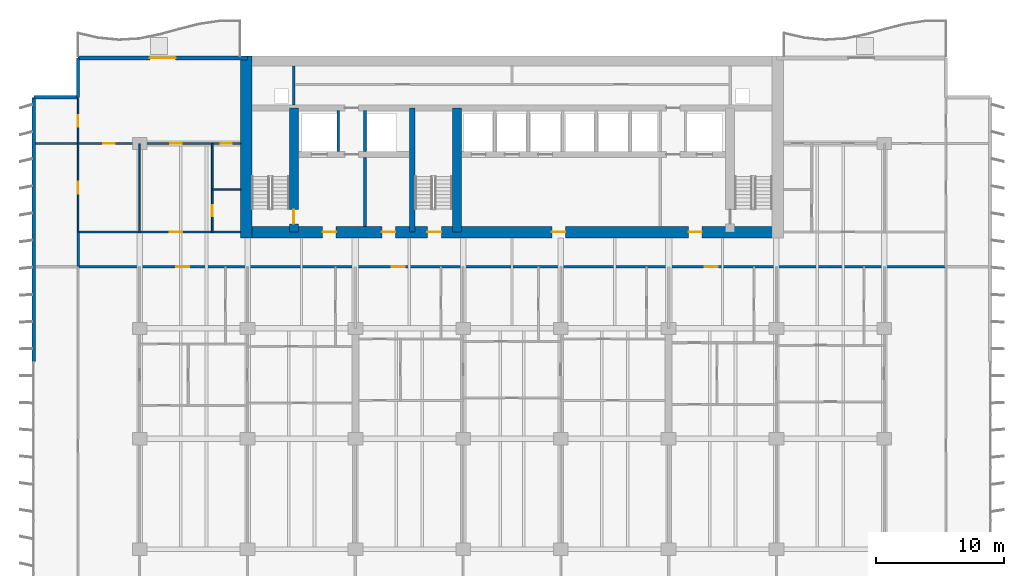
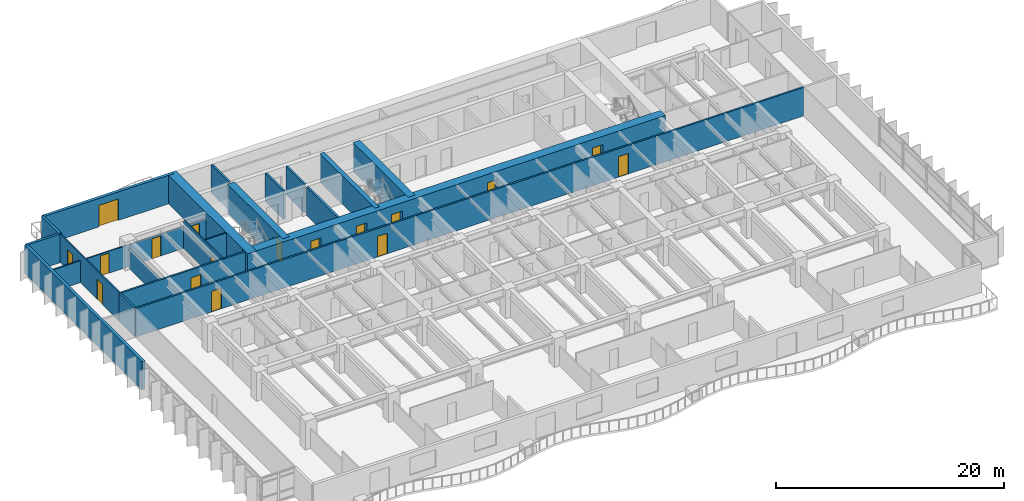
# One storey, part 9 of 16: 21 walls, 17 doors, 17 openings.
"""IFC4 building model written with IfcOpenShell, lengths in metres."""

from ifc_helpers import new_model, si_unit, direction, frame, frame_2d, origin, place, context, subcontext, project, spatial, rectangle, extrude, material, layer, layer_set, type_object, element, fill, save


model = new_model("IFC4")

# Units and contexts
model_context = context("Model", 3, precision=1e-05, world=origin(), true_north=direction((0.0, 1.0)))
body_context = subcontext(model_context, "Body", "Model", "MODEL_VIEW")
ifc_project = project(units=[si_unit("LENGTHUNIT", "METRE"), si_unit("AREAUNIT", "SQUARE_METRE"), si_unit("VOLUMEUNIT", "CUBIC_METRE"), si_unit("PLANEANGLEUNIT", "RADIAN"), si_unit("MASSUNIT", "GRAM", prefix="KILO")], contexts=[model_context])

# Site, building, storey
site_placement = place(None, origin())
site = spatial("IfcSite", under=ifc_project, at=site_placement, CompositionType="ELEMENT")
building_placement = place(site_placement, origin())
building = spatial("IfcBuilding", under=site, at=building_placement, Name="Caelmar Bay Residences", CompositionType="ELEMENT")
storey_placement = place(building_placement, frame((0.0, 0.0, 72.89990234375)))
storey = spatial("IfcBuildingStorey", under=building, at=storey_placement, Name="L19", CompositionType="ELEMENT", Elevation=72.89990234375)

# Wall, opening, door
ifc_material_1 = material(Name="Concrete f'c 55 MPa (8,000 psi)", Category="concrete")
ifc_layer_1 = layer(ifc_material_1, 0.699951171875)
ifc_layer_set_1 = layer_set([ifc_layer_1], Name="Concrete f'c 55 MPa (8,000 psi)")
wall_type_1 = type_object("IfcWallType", Name="SW-COR-700", PredefinedType="SHEAR", material=ifc_layer_set_1)
wall_1_placement = place(storey_placement, frame((21.89990234375, 36.89990234375, 0.0), z_axis=(0.0, 0.0, 1.0), x_axis=(0.0, 1.0, 0.0)))
wall_1 = element("IfcWall", 1, at=wall_1_placement, inside=storey, type_object=wall_type_1, Name="L19 Core Structural Web Wall ST1E", PredefinedType="SHEAR", context=body_context, shape_type="SweptSolid", body=[
    extrude(rectangle(XDim=9.675048828125, YDim=0.699951171875, at=frame_2d((4.83740234375, 0.0))), origin(), (0.0, 0.0, 1.0), 3.050048828125),
])
opening_1_placement = place(wall_1_placement, frame((0.64990234375, 0.0, 0.0)))
opening_1 = element("IfcOpeningElement", 2, at=opening_1_placement, cuts=wall_1, Name="Opening D-L19-108", PredefinedType="OPENING", context=body_context, shape_type="SweptSolid", body=[
    extrude(rectangle(XDim=1.10009765625, YDim=2.14990234375, at=frame_2d((0.550048828125, 1.074951171875))), frame((0.0, 0.35986328125, 0.0), z_axis=(0.0, -1.0, 0.0), x_axis=(1.0, 0.0, 0.0)), (0.0, 0.0, 1.0), 0.719970703125),
])
ifc_material_2 = material(Name="Fire-rated steel and walnut architectural door assembly", Category="steel")
ifc_layer_2 = layer(ifc_material_2, 0.050048828125)
ifc_layer_set_2 = layer_set([ifc_layer_2], Name="Fire-rated steel and walnut architectural door assembly")
door_type_1 = type_object("IfcDoorType", Name="D-STAIR-1100", OperationType="NOTDEFINED", PredefinedType="DOOR", material=ifc_layer_set_2)
door_1_placement = place(opening_1_placement, origin())
door_1 = element("IfcDoor", 3, at=door_1_placement, inside=storey, type_object=door_type_1, Name="L19 Firefighting Lobby West Door", OperationType="SINGLE_SWING_LEFT", OverallHeight=2.14990234375, OverallWidth=1.10009765625, PredefinedType="DOOR", context=body_context, shape_type="SweptSolid", body=[
    extrude(rectangle(XDim=1.10009765625, YDim=2.14990234375, at=frame_2d((0.550048828125, 1.074951171875))), frame((0.0, 0.02490234375, 0.0), z_axis=(0.0, -1.0, 0.0), x_axis=(1.0, 0.0, 0.0)), (0.0, 0.0, 1.0), 0.050048828125),
])
fill(opening_1, door_1)

# Wall
wall_2_placement = place(storey_placement, frame((34.60009765625, 36.89990234375, 0.0), z_axis=(0.0, 0.0, 1.0), x_axis=(0.0, 1.0, 0.0)))
element("IfcWall", 4, at=wall_2_placement, inside=storey, type_object=wall_type_1, Name="L19 Core Structural Web Wall ST3E", PredefinedType="SHEAR", context=body_context, shape_type="SweptSolid", body=[
    extrude(rectangle(XDim=9.675048828125, YDim=0.699951171875, at=frame_2d((4.83740234375, 0.0))), origin(), (0.0, 0.0, 1.0), 3.050048828125),
])

# Wall, openings, doors
ifc_material_3 = material(Name="Concrete f'c 70 MPa (10,000 psi)", Category="concrete")
ifc_layer_3 = layer(ifc_material_3, 0.89990234375)
ifc_layer_set_3 = layer_set([ifc_layer_3], Name="Concrete f'c 70 MPa (10,000 psi)")
wall_type_2 = type_object("IfcWallType", Name="SW-COR-900", PredefinedType="SHEAR", material=ifc_layer_set_3)
wall_3_placement = place(storey_placement, frame((17.75, 36.89990234375, 0.0), z_axis=(0.0, 0.0, 1.0), x_axis=(1.0, 0.0, 0.0)))
wall_3 = element("IfcWall", 5, at=wall_3_placement, inside=storey, type_object=wall_type_2, Name="L19 Rear Core South Shear Wall", PredefinedType="SHEAR", context=body_context, shape_type="SweptSolid", body=[
    extrude(rectangle(XDim=42.300048828125, YDim=0.89990234375, at=frame_2d((21.14990234375, 0.0))), origin(), (0.0, 0.0, 1.0), 3.050048828125),
])
opening_2_placement = place(wall_3_placement, frame((14.550048828125, 0.0, 0.0)))
opening_2 = element("IfcOpeningElement", 6, at=opening_2_placement, cuts=wall_3, Name="Opening D-L19-106", PredefinedType="OPENING", context=body_context, shape_type="SweptSolid", body=[
    extrude(rectangle(XDim=1.10009765625, YDim=2.14990234375, at=frame_2d((0.550048828125, 1.074951171875))), frame((0.0, 0.4599609375, 0.0), z_axis=(0.0, -1.0, 0.0), x_axis=(1.0, 0.0, 0.0)), (0.0, 0.0, 1.0), 0.919921875),
])
opening_3_placement = place(wall_3_placement, frame((6.39990234375, 0.0, 0.0)))
opening_3 = element("IfcOpeningElement", 7, at=opening_3_placement, cuts=wall_3, Name="Opening D-L19-107", PredefinedType="OPENING", context=body_context, shape_type="SweptSolid", body=[
    extrude(rectangle(XDim=1.050048828125, YDim=2.14990234375, at=frame_2d((0.52490234375, 1.074951171875))), frame((0.0, 0.4599609375, 0.0), z_axis=(0.0, -1.0, 0.0), x_axis=(1.0, 0.0, 0.0)), (0.0, 0.0, 1.0), 0.919921875),
])
opening_4_placement = place(wall_3_placement, frame((34.89990234375, 0.0, 0.0)))
opening_4 = element("IfcOpeningElement", 8, at=opening_4_placement, cuts=wall_3, Name="Opening D-L19-110", PredefinedType="OPENING", context=body_context, shape_type="SweptSolid", body=[
    extrude(rectangle(XDim=1.050048828125, YDim=2.14990234375, at=frame_2d((0.52490234375, 1.074951171875))), frame((0.0, 0.4599609375, 0.0), z_axis=(0.0, -1.0, 0.0), x_axis=(1.0, 0.0, 0.0)), (0.0, 0.0, 1.0), 0.919921875),
])
opening_5_placement = place(wall_3_placement, frame((11.012451171875, 0.0, 0.0)))
opening_5 = element("IfcOpeningElement", 9, at=opening_5_placement, cuts=wall_3, Name="Opening D-L19-113", PredefinedType="OPENING", context=body_context, shape_type="SweptSolid", body=[
    extrude(rectangle(XDim=1.050048828125, YDim=2.14990234375, at=frame_2d((0.52490234375, 1.074951171875))), frame((0.0, 0.4599609375, 0.0), z_axis=(0.0, -1.0, 0.0), x_axis=(1.0, 0.0, 0.0)), (0.0, 0.0, 1.0), 0.919921875),
])
opening_6_placement = place(wall_3_placement, frame((24.25, 0.0, 0.0)))
opening_6 = element("IfcOpeningElement", 10, at=opening_6_placement, cuts=wall_3, Name="Opening D-L19-114", PredefinedType="OPENING", context=body_context, shape_type="SweptSolid", body=[
    extrude(rectangle(XDim=1.050048828125, YDim=2.14990234375, at=frame_2d((0.52490234375, 1.074951171875))), frame((0.0, 0.4599609375, 0.0), z_axis=(0.0, -1.0, 0.0), x_axis=(1.0, 0.0, 0.0)), (0.0, 0.0, 1.0), 0.919921875),
])
ifc_layer_4 = layer(ifc_material_2, 0.050048828125)
ifc_layer_set_4 = layer_set([ifc_layer_4], Name="Fire-rated steel and walnut architectural door assembly")
door_type_2 = type_object("IfcDoorType", Name="D-FSAE-1050", OperationType="NOTDEFINED", PredefinedType="DOOR", material=ifc_layer_set_4)
door_2_placement = place(opening_3_placement, origin())
door_2 = element("IfcDoor", 11, at=door_2_placement, inside=storey, type_object=door_type_2, Name="L19 Firefighting Lobby West Door", OperationType="SINGLE_SWING_RIGHT", OverallHeight=2.14990234375, OverallWidth=1.050048828125, PredefinedType="DOOR", context=body_context, shape_type="SweptSolid", body=[
    extrude(rectangle(XDim=1.050048828125, YDim=2.14990234375, at=frame_2d((0.52490234375, 1.074951171875))), frame((0.0, 0.02490234375, 0.0), z_axis=(0.0, -1.0, 0.0), x_axis=(1.0, 0.0, 0.0)), (0.0, 0.0, 1.0), 0.050048828125),
])
fill(opening_3, door_2)
door_3_placement = place(opening_4_placement, origin())
door_3 = element("IfcDoor", 12, at=door_3_placement, inside=storey, type_object=door_type_2, Name="L19 Firefighting Lobby East Door", OperationType="SINGLE_SWING_LEFT", OverallHeight=2.14990234375, OverallWidth=1.050048828125, PredefinedType="DOOR", context=body_context, shape_type="SweptSolid", body=[
    extrude(rectangle(XDim=1.050048828125, YDim=2.14990234375, at=frame_2d((0.52490234375, 1.074951171875))), frame((0.0, 0.02490234375, 0.0), z_axis=(0.0, -1.0, 0.0), x_axis=(1.0, 0.0, 0.0)), (0.0, 0.0, 1.0), 0.050048828125),
])
fill(opening_4, door_3)
door_4_placement = place(opening_5_placement, origin())
door_4 = element("IfcDoor", 13, at=door_4_placement, inside=storey, type_object=door_type_2, Name="L19 West Lift Lobby Door", OperationType="SINGLE_SWING_RIGHT", OverallHeight=2.14990234375, OverallWidth=1.050048828125, PredefinedType="DOOR", context=body_context, shape_type="SweptSolid", body=[
    extrude(rectangle(XDim=1.050048828125, YDim=2.14990234375, at=frame_2d((0.52490234375, 1.074951171875))), frame((0.0, 0.02490234375, 0.0), z_axis=(0.0, -1.0, 0.0), x_axis=(1.0, 0.0, 0.0)), (0.0, 0.0, 1.0), 0.050048828125),
])
fill(opening_5, door_4)
door_5_placement = place(opening_6_placement, origin())
door_5 = element("IfcDoor", 14, at=door_5_placement, inside=storey, type_object=door_type_2, Name="L19 Passenger Lift Lobby Door", OperationType="SINGLE_SWING_LEFT", OverallHeight=2.14990234375, OverallWidth=1.050048828125, PredefinedType="DOOR", context=body_context, shape_type="SweptSolid", body=[
    extrude(rectangle(XDim=1.050048828125, YDim=2.14990234375, at=frame_2d((0.52490234375, 1.074951171875))), frame((0.0, 0.02490234375, 0.0), z_axis=(0.0, -1.0, 0.0), x_axis=(1.0, 0.0, 0.0)), (0.0, 0.0, 1.0), 0.050048828125),
])
fill(opening_6, door_5)
door_6_placement = place(opening_2_placement, origin())
door_6 = element("IfcDoor", 15, at=door_6_placement, inside=storey, type_object=door_type_1, Name="L19 Exit Stair ST3 Door", OperationType="SINGLE_SWING_LEFT", OverallHeight=2.14990234375, OverallWidth=1.10009765625, PredefinedType="DOOR", context=body_context, shape_type="SweptSolid", body=[
    extrude(rectangle(XDim=1.10009765625, YDim=2.14990234375, at=frame_2d((0.550048828125, 1.074951171875))), frame((0.0, 0.02490234375, 0.0), z_axis=(0.0, -1.0, 0.0), x_axis=(1.0, 0.0, 0.0)), (0.0, 0.0, 1.0), 0.050048828125),
])
fill(opening_2, door_6)

# Walls
wall_4_placement = place(storey_placement, frame((18.199951171875, 36.449951171875, 0.0), z_axis=(0.0, 0.0, 1.0), x_axis=(0.0, 1.0, 0.0)))
element("IfcWall", 16, at=wall_4_placement, inside=storey, type_object=wall_type_2, Name="L19 Rear Core West Shear Wall", PredefinedType="SHEAR", context=body_context, shape_type="SweptSolid", body=[
    extrude(rectangle(XDim=14.150146484375, YDim=0.89990234375, at=frame_2d((7.0751953125, 0.0))), origin(), (0.0, 0.0, 1.0), 3.050048828125),
])
ifc_layer_5 = layer(ifc_material_3, 0.449951171875)
ifc_layer_set_5 = layer_set([ifc_layer_5], Name="Concrete f'c 70 MPa (10,000 psi)")
wall_type_3 = type_object("IfcWallType", Name="SW-WEB-450", PredefinedType="SHEAR", material=ifc_layer_set_5)
wall_5_placement = place(storey_placement, frame((31.125, 36.89990234375, 0.0), z_axis=(0.0, 0.0, 1.0), x_axis=(0.0, 1.0, 0.0)))
element("IfcWall", 17, at=wall_5_placement, inside=storey, type_object=wall_type_3, Name="L19 Core Structural Web Wall ST3W", PredefinedType="SHEAR", context=body_context, shape_type="SweptSolid", body=[
    extrude(rectangle(XDim=9.675048828125, YDim=0.449951171875, at=frame_2d((4.83740234375, 0.0))), origin(), (0.0, 0.0, 1.0), 3.050048828125),
])
ifc_material_4 = material(Name="Double-stud acoustic fire-rated gypsum partition 180 mm")
ifc_layer_6 = layer(ifc_material_4, 0.179931640625)
ifc_layer_set_6 = layer_set([ifc_layer_6], Name="Double-stud acoustic fire-rated gypsum partition 180 mm")
wall_type_4 = type_object("IfcWallType", Name="W-COR-200", PredefinedType="PARTITIONING", material=ifc_layer_set_6)
wall_6_placement = place(storey_placement, frame((5.10009765625, 34.205078125, 0.0), z_axis=(0.0, 0.0, 1.0), x_axis=(0.0, 1.0, 0.0)))
element("IfcWall", 18, at=wall_6_placement, inside=storey, type_object=wall_type_4, Name="L19 Partition Wall V002", PredefinedType="PARTITIONING", context=body_context, shape_type="SweptSolid", body=[
    extrude(rectangle(XDim=2.69482421875, YDim=0.179931640625, at=frame_2d((1.347412109375, 0.0))), origin(), (0.0, 0.0, 1.0), 3.050048828125),
])

# Wall, openings, doors
wall_7_placement = place(storey_placement, frame((5.10498046875, 34.199951171875, 0.0), z_axis=(0.0, 0.0, 1.0), x_axis=(1.0, 0.0, 0.0)))
wall_7 = element("IfcWall", 19, at=wall_7_placement, inside=storey, type_object=wall_type_4, Name="L19 Partition Wall H071", PredefinedType="PARTITIONING", context=body_context, shape_type="SweptSolid", body=[
    extrude(rectangle(XDim=67.594970703125, YDim=0.179931640625, at=frame_2d((33.79736328125, 0.0))), origin(), (0.0, 0.0, 1.0), 3.050048828125),
])
opening_7_placement = place(wall_7_placement, frame((7.639404296875, 0.0, 0.0)))
opening_7 = element("IfcOpeningElement", 20, at=opening_7_placement, cuts=wall_7, Name="Opening D-L19-119", PredefinedType="OPENING", context=body_context, shape_type="SweptSolid", body=[
    extrude(rectangle(XDim=1.0, YDim=2.199951171875, at=frame_2d((0.5, 1.10009765625))), frame((0.0, 0.099853515625, 0.0), z_axis=(0.0, -1.0, 0.0), x_axis=(1.0, 0.0, 0.0)), (0.0, 0.0, 1.0), 0.199951171875),
])
opening_8_placement = place(wall_7_placement, frame((24.423095703125, 0.0, 0.0)))
opening_8 = element("IfcOpeningElement", 21, at=opening_8_placement, cuts=wall_7, Name="Opening D-L19-130", PredefinedType="OPENING", context=body_context, shape_type="SweptSolid", body=[
    extrude(rectangle(XDim=1.0, YDim=2.199951171875, at=frame_2d((0.5, 1.10009765625))), frame((0.0, 0.099853515625, 0.0), z_axis=(0.0, -1.0, 0.0), x_axis=(1.0, 0.0, 0.0)), (0.0, 0.0, 1.0), 0.199951171875),
])
opening_9_placement = place(wall_7_placement, frame((48.824951171875, 0.0, 0.0)))
opening_9 = element("IfcOpeningElement", 22, at=opening_9_placement, cuts=wall_7, Name="Opening D-L19-145", PredefinedType="OPENING", context=body_context, shape_type="SweptSolid", body=[
    extrude(rectangle(XDim=1.0, YDim=2.199951171875, at=frame_2d((0.5, 1.10009765625))), frame((0.0, 0.099853515625, 0.0), z_axis=(0.0, -1.0, 0.0), x_axis=(1.0, 0.0, 0.0)), (0.0, 0.0, 1.0), 0.199951171875),
])
ifc_layer_7 = layer(ifc_material_2, 0.050048828125)
ifc_layer_set_7 = layer_set([ifc_layer_7], Name="Fire-rated steel and walnut architectural door assembly")
door_type_3 = type_object("IfcDoorType", Name="D-UNIT-1000", OperationType="NOTDEFINED", PredefinedType="DOOR", material=ifc_layer_set_7)
door_7_placement = place(opening_7_placement, origin())
door_7 = element("IfcDoor", 23, at=door_7_placement, inside=storey, type_object=door_type_3, Name="L19 Residence 01 Apartment Hall Door", OperationType="SINGLE_SWING_RIGHT", OverallHeight=2.199951171875, OverallWidth=1.0, PredefinedType="DOOR", context=body_context, shape_type="SweptSolid", body=[
    extrude(rectangle(XDim=1.0, YDim=2.199951171875, at=frame_2d((0.5, 1.10009765625))), frame((0.0, 0.02490234375, 0.0), z_axis=(0.0, -1.0, 0.0), x_axis=(1.0, 0.0, 0.0)), (0.0, 0.0, 1.0), 0.050048828125),
])
fill(opening_7, door_7)
door_8_placement = place(opening_8_placement, origin())
door_8 = element("IfcDoor", 24, at=door_8_placement, inside=storey, type_object=door_type_3, Name="L19 Residence 02 Apartment Hall Door", OperationType="SINGLE_SWING_LEFT", OverallHeight=2.199951171875, OverallWidth=1.0, PredefinedType="DOOR", context=body_context, shape_type="SweptSolid", body=[
    extrude(rectangle(XDim=1.0, YDim=2.199951171875, at=frame_2d((0.5, 1.10009765625))), frame((0.0, 0.02490234375, 0.0), z_axis=(0.0, -1.0, 0.0), x_axis=(1.0, 0.0, 0.0)), (0.0, 0.0, 1.0), 0.050048828125),
])
fill(opening_8, door_8)
door_9_placement = place(opening_9_placement, origin())
door_9 = element("IfcDoor", 25, at=door_9_placement, inside=storey, type_object=door_type_3, Name="L19 Residence 03 Apartment Hall Door", OperationType="SINGLE_SWING_RIGHT", OverallHeight=2.199951171875, OverallWidth=1.0, PredefinedType="DOOR", context=body_context, shape_type="SweptSolid", body=[
    extrude(rectangle(XDim=1.0, YDim=2.199951171875, at=frame_2d((0.5, 1.10009765625))), frame((0.0, 0.02490234375, 0.0), z_axis=(0.0, -1.0, 0.0), x_axis=(1.0, 0.0, 0.0)), (0.0, 0.0, 1.0), 0.050048828125),
])
fill(opening_9, door_9)

# Wall, opening, door
wall_8_placement = place(storey_placement, frame((5.10009765625, 36.89990234375, 0.0), z_axis=(0.0, 0.0, 1.0), x_axis=(1.0, 0.0, 0.0)))
wall_8 = element("IfcWall", 26, at=wall_8_placement, inside=storey, type_object=wall_type_4, Name="L19 Partition Wall H073", PredefinedType="PARTITIONING", context=body_context, shape_type="SweptSolid", body=[
    extrude(rectangle(XDim=12.64501953125, YDim=0.179931640625, at=frame_2d((6.322509765625, 0.0))), origin(), (0.0, 0.0, 1.0), 3.050048828125),
])
opening_10_placement = place(wall_8_placement, frame((7.125, 0.0, 0.0)))
opening_10 = element("IfcOpeningElement", 27, at=opening_10_placement, cuts=wall_8, Name="Opening D-L19-159", PredefinedType="OPENING", context=body_context, shape_type="SweptSolid", body=[
    extrude(rectangle(XDim=1.0, YDim=2.199951171875, at=frame_2d((0.5, 1.10009765625))), frame((0.0, 0.099853515625, 0.0), z_axis=(0.0, -1.0, 0.0), x_axis=(1.0, 0.0, 0.0)), (0.0, 0.0, 1.0), 0.199951171875),
])
door_10_placement = place(opening_10_placement, origin())
door_10 = element("IfcDoor", 28, at=door_10_placement, inside=storey, type_object=door_type_3, Name="L19 Residence WA Kitchen Door", OperationType="SINGLE_SWING_RIGHT", OverallHeight=2.199951171875, OverallWidth=1.0, PredefinedType="DOOR", context=body_context, shape_type="SweptSolid", body=[
    extrude(rectangle(XDim=1.0, YDim=2.199951171875, at=frame_2d((0.5, 1.10009765625))), frame((0.0, 0.02490234375, 0.0), z_axis=(0.0, -1.0, 0.0), x_axis=(1.0, 0.0, 0.0)), (0.0, 0.0, 1.0), 0.050048828125),
])
fill(opening_10, door_10)

# Walls
ifc_material_5 = material(Name="Precast concrete f'c 40 MPa (6,000 psi)", Category="concrete")
ifc_layer_8 = layer(ifc_material_5, 0.25)
ifc_layer_set_8 = layer_set([ifc_layer_8], Name="Precast concrete f'c 40 MPa (6,000 psi)")
wall_type_5 = type_object("IfcWallType", Name="W-EXT-250", PredefinedType="ELEMENTEDWALL", material=ifc_layer_set_8)
wall_9_placement = place(storey_placement, frame((1.64990234375, 47.39990234375, 0.0), z_axis=(0.0, 0.0, 1.0), x_axis=(1.0, 0.0, 0.0)))
element("IfcWall", 29, at=wall_9_placement, inside=storey, type_object=wall_type_5, Name="L19 NNW-H Notch Wall", PredefinedType="ELEMENTEDWALL", context=body_context, shape_type="SweptSolid", body=[
    extrude(rectangle(XDim=3.4501953125, YDim=0.25, at=frame_2d((1.72509765625, 0.0))), origin(), (0.0, 0.0, 1.0), 3.050048828125),
])
wall_10_placement = place(storey_placement, frame((5.10009765625, 47.39990234375, 0.0), z_axis=(0.0, 0.0, 1.0), x_axis=(0.0, 1.0, 0.0)))
element("IfcWall", 30, at=wall_10_placement, inside=storey, type_object=wall_type_5, Name="L19 NNW-V Notch Wall", PredefinedType="ELEMENTEDWALL", context=body_context, shape_type="SweptSolid", body=[
    extrude(rectangle(XDim=3.050048828125, YDim=0.25, at=frame_2d((1.52490234375, 0.0))), origin(), (0.0, 0.0, 1.0), 3.050048828125),
])
ifc_layer_9 = layer(ifc_material_5, 0.300048828125)
ifc_layer_set_9 = layer_set([ifc_layer_9], Name="Precast concrete f'c 40 MPa (6,000 psi)")
wall_type_6 = type_object("IfcWallType", Name="W-EXT-300", PredefinedType="STANDARD", material=ifc_layer_set_9)
wall_11_placement = place(storey_placement, frame((1.64990234375, 26.800048828125, 0.0), z_axis=(0.0, 0.0, 1.0), x_axis=(0.0, 1.0, 0.0)))
element("IfcWall", 31, at=wall_11_placement, inside=storey, type_object=wall_type_6, Name="L19 West Rear Exterior Wall", PredefinedType="STANDARD", context=body_context, shape_type="SweptSolid", body=[
    extrude(rectangle(XDim=20.599853515625, YDim=0.300048828125, at=frame_2d((10.2998046875, 0.0))), origin(), (0.0, 0.0, 1.0), 3.050048828125),
])

# Wall, opening, door
wall_12_placement = place(storey_placement, frame((5.10009765625, 50.449951171875, 0.0), z_axis=(0.0, 0.0, 1.0), x_axis=(1.0, 0.0, 0.0)))
wall_12 = element("IfcWall", 32, at=wall_12_placement, inside=storey, type_object=wall_type_6, Name="L19 North-West Wing Exterior Wall", PredefinedType="STANDARD", context=body_context, shape_type="SweptSolid", body=[
    extrude(rectangle(XDim=13.199951171875, YDim=0.300048828125, at=frame_2d((6.60009765625, 0.0))), origin(), (0.0, 0.0, 1.0), 3.050048828125),
])
opening_11_placement = place(wall_12_placement, frame((5.60009765625, 0.0, 0.0)))
opening_11 = element("IfcOpeningElement", 33, at=opening_11_placement, cuts=wall_12, Name="Opening L19-BDNW", PredefinedType="OPENING", context=body_context, shape_type="SweptSolid", body=[
    extrude(rectangle(XDim=2.0, YDim=2.300048828125, at=frame_2d((1.0, 1.14990234375))), frame((0.0, 0.159912109375, 0.0), z_axis=(0.0, -1.0, 0.0), x_axis=(1.0, 0.0, 0.0)), (0.0, 0.0, 1.0), 0.320068359375),
])
ifc_material_6 = material(Name="Anodised bronze thermally broken sliding glass door", Category="glass")
ifc_layer_10 = layer(ifc_material_6, 0.050048828125)
ifc_layer_set_10 = layer_set([ifc_layer_10], Name="Anodised bronze thermally broken sliding glass door")
door_type_4 = type_object("IfcDoorType", Name="D-BAL-2000", OperationType="DOUBLE_DOOR_SLIDING", PredefinedType="DOOR", material=ifc_layer_set_10)
door_11_placement = place(opening_11_placement, origin())
door_11 = element("IfcDoor", 34, at=door_11_placement, inside=storey, type_object=door_type_4, Name="L19 North-West Balcony Door", OperationType="DOUBLE_DOOR_SLIDING", OverallHeight=2.300048828125, OverallWidth=2.0, PredefinedType="DOOR", context=body_context, shape_type="SweptSolid", body=[
    extrude(rectangle(XDim=2.0, YDim=2.300048828125, at=frame_2d((1.0, 1.14990234375))), frame((0.0, 0.02490234375, 0.0), z_axis=(0.0, -1.0, 0.0), x_axis=(1.0, 0.0, 0.0)), (0.0, 0.0, 1.0), 0.050048828125),
])
fill(opening_11, door_11)

# Walls
ifc_material_7 = material(Name="Fire-rated masonry and gypsum shaftliner assembly 200 mm", Category="masonry")
ifc_layer_11 = layer(ifc_material_7, 0.199951171875)
ifc_layer_set_11 = layer_set([ifc_layer_11], Name="Fire-rated masonry and gypsum shaftliner assembly 200 mm")
wall_type_7 = type_object("IfcWallType", Name="W-FSAE-200", PredefinedType="PARTITIONING", material=ifc_layer_set_11)
wall_13_placement = place(storey_placement, frame((21.89990234375, 46.794921875, 0.0), z_axis=(0.0, 0.0, 1.0), x_axis=(0.0, 1.0, 0.0)))
element("IfcWall", 35, at=wall_13_placement, inside=storey, type_object=wall_type_7, Name="L19 Partition Wall V012", PredefinedType="PARTITIONING", context=body_context, shape_type="SweptSolid", body=[
    extrude(rectangle(XDim=3.06005859375, YDim=0.199951171875, at=frame_2d((1.530029296875, 0.0))), origin(), (0.0, 0.0, 1.0), 3.050048828125),
])
wall_14_placement = place(storey_placement, frame((25.35009765625, 43.169921875, 0.0), z_axis=(0.0, 0.0, 1.0), x_axis=(0.0, 1.0, 0.0)))
element("IfcWall", 36, at=wall_14_placement, inside=storey, type_object=wall_type_7, Name="L19 Partition Wall V014", PredefinedType="PARTITIONING", context=body_context, shape_type="SweptSolid", body=[
    extrude(rectangle(XDim=3.18505859375, YDim=0.199951171875, at=frame_2d((1.592529296875, 0.0))), origin(), (0.0, 0.0, 1.0), 3.050048828125),
])
wall_15_placement = place(storey_placement, frame((27.449951171875, 37.344970703125, 0.0), z_axis=(0.0, 0.0, 1.0), x_axis=(0.0, 1.0, 0.0)))
element("IfcWall", 37, at=wall_15_placement, inside=storey, type_object=wall_type_7, Name="L19 Partition Wall V018", PredefinedType="PARTITIONING", context=body_context, shape_type="SweptSolid", body=[
    extrude(rectangle(XDim=5.385009765625, YDim=0.199951171875, at=frame_2d((2.6923828125, 0.0))), origin(), (0.0, 0.0, 1.0), 3.050048828125),
])
wall_16_placement = place(storey_placement, frame((27.449951171875, 43.169921875, 0.0), z_axis=(0.0, 0.0, 1.0), x_axis=(0.0, 1.0, 0.0)))
element("IfcWall", 38, at=wall_16_placement, inside=storey, type_object=wall_type_7, Name="L19 Partition Wall V019", PredefinedType="PARTITIONING", context=body_context, shape_type="SweptSolid", body=[
    extrude(rectangle(XDim=3.18505859375, YDim=0.199951171875, at=frame_2d((1.592529296875, 0.0))), origin(), (0.0, 0.0, 1.0), 3.050048828125),
])

# Wall, openings, doors
ifc_material_8 = material(Name="Acoustic metal-stud gypsum partition 120 mm")
ifc_layer_12 = layer(ifc_material_8, 0.1201171875)
ifc_layer_set_12 = layer_set([ifc_layer_12], Name="Acoustic metal-stud gypsum partition 120 mm")
wall_type_8 = type_object("IfcWallType", Name="W-PRT-120", PredefinedType="PARTITIONING", material=ifc_layer_set_12)
wall_17_placement = place(storey_placement, frame((5.10009765625, 36.905029296875, 0.0), z_axis=(0.0, 0.0, 1.0), x_axis=(0.0, 1.0, 0.0)))
wall_17 = element("IfcWall", 39, at=wall_17_placement, inside=storey, type_object=wall_type_8, Name="L19 Partition Wall V003", PredefinedType="PARTITIONING", context=body_context, shape_type="SweptSolid", body=[
    extrude(rectangle(XDim=10.375, YDim=0.1201171875, at=frame_2d((5.1875, 0.0))), origin(), (0.0, 0.0, 1.0), 3.050048828125),
])
opening_12_placement = place(wall_17_placement, frame((2.99755859375, 0.0, 0.0)))
opening_12 = element("IfcOpeningElement", 40, at=opening_12_placement, cuts=wall_17, Name="Opening D-L19-163", PredefinedType="OPENING", context=body_context, shape_type="SweptSolid", body=[
    extrude(rectangle(XDim=0.89990234375, YDim=2.14990234375, at=frame_2d((0.449951171875, 1.074951171875))), frame((0.0, 0.070068359375, 0.0), z_axis=(0.0, -1.0, 0.0), x_axis=(1.0, 0.0, 0.0)), (0.0, 0.0, 1.0), 0.14013671875),
])
opening_13_placement = place(wall_17_placement, frame((8.18505859375, 0.0, 0.0)))
opening_13 = element("IfcOpeningElement", 41, at=opening_13_placement, cuts=wall_17, Name="Opening D-L19-164", PredefinedType="OPENING", context=body_context, shape_type="SweptSolid", body=[
    extrude(rectangle(XDim=0.89990234375, YDim=2.14990234375, at=frame_2d((0.449951171875, 1.074951171875))), frame((0.0, 0.070068359375, 0.0), z_axis=(0.0, -1.0, 0.0), x_axis=(1.0, 0.0, 0.0)), (0.0, 0.0, 1.0), 0.14013671875),
])
ifc_material_9 = material(Name="Solid walnut timber interior door leaf and frame", Category="wood")
ifc_layer_13 = layer(ifc_material_9, 0.050048828125)
ifc_layer_set_13 = layer_set([ifc_layer_13], Name="Solid walnut timber interior door leaf and frame")
door_type_5 = type_object("IfcDoorType", Name="D-ROOM-900", OperationType="NOTDEFINED", PredefinedType="DOOR", material=ifc_layer_set_13)
door_12_placement = place(opening_12_placement, origin())
door_12 = element("IfcDoor", 42, at=door_12_placement, inside=storey, type_object=door_type_5, Name="L19 Residence WA Sun Study Door", OperationType="SINGLE_SWING_RIGHT", OverallHeight=2.14990234375, OverallWidth=0.89990234375, PredefinedType="DOOR", context=body_context, shape_type="SweptSolid", body=[
    extrude(rectangle(XDim=0.89990234375, YDim=2.14990234375, at=frame_2d((0.449951171875, 1.074951171875))), frame((0.0, 0.02490234375, 0.0), z_axis=(0.0, -1.0, 0.0), x_axis=(1.0, 0.0, 0.0)), (0.0, 0.0, 1.0), 0.050048828125),
])
fill(opening_12, door_12)
door_13_placement = place(opening_13_placement, origin())
door_13 = element("IfcDoor", 43, at=door_13_placement, inside=storey, type_object=door_type_5, Name="L19 Residence WA North Sitting Alcove Door", OperationType="SINGLE_SWING_LEFT", OverallHeight=2.14990234375, OverallWidth=0.89990234375, PredefinedType="DOOR", context=body_context, shape_type="SweptSolid", body=[
    extrude(rectangle(XDim=0.89990234375, YDim=2.14990234375, at=frame_2d((0.449951171875, 1.074951171875))), frame((0.0, 0.02490234375, 0.0), z_axis=(0.0, -1.0, 0.0), x_axis=(1.0, 0.0, 0.0)), (0.0, 0.0, 1.0), 0.050048828125),
])
fill(opening_13, door_13)

# Wall
wall_18_placement = place(storey_placement, frame((9.89990234375, 36.89990234375, 0.0), z_axis=(0.0, 0.0, 1.0), x_axis=(0.0, 1.0, 0.0)))
element("IfcWall", 44, at=wall_18_placement, inside=storey, type_object=wall_type_8, Name="L19 Partition Wall V006", PredefinedType="PARTITIONING", context=body_context, shape_type="SweptSolid", body=[
    extrude(rectangle(XDim=6.900146484375, YDim=0.1201171875, at=frame_2d((3.4501953125, 0.0))), origin(), (0.0, 0.0, 1.0), 2.110107421875),
])

# Wall, opening, door
wall_19_placement = place(storey_placement, frame((15.550048828125, 36.89990234375, 0.0), z_axis=(0.0, 0.0, 1.0), x_axis=(0.0, 1.0, 0.0)))
wall_19 = element("IfcWall", 45, at=wall_19_placement, inside=storey, type_object=wall_type_8, Name="L19 Partition Wall V008", PredefinedType="PARTITIONING", context=body_context, shape_type="SweptSolid", body=[
    extrude(rectangle(XDim=6.900146484375, YDim=0.1201171875, at=frame_2d((3.4501953125, 0.0))), origin(), (0.0, 0.0, 1.0), 3.050048828125),
])
opening_14_placement = place(wall_19_placement, frame((1.23095703125, 0.0, 0.0)))
opening_14 = element("IfcOpeningElement", 46, at=opening_14_placement, cuts=wall_19, Name="Opening D-L19-161", PredefinedType="OPENING", context=body_context, shape_type="SweptSolid", body=[
    extrude(rectangle(XDim=0.85009765625, YDim=2.10009765625, at=frame_2d((0.425048828125, 1.050048828125))), frame((0.0, 0.070068359375, 0.0), z_axis=(0.0, -1.0, 0.0), x_axis=(1.0, 0.0, 0.0)), (0.0, 0.0, 1.0), 0.14013671875),
])
ifc_layer_14 = layer(ifc_material_9, 0.050048828125)
ifc_layer_set_14 = layer_set([ifc_layer_14], Name="Solid walnut timber interior door leaf and frame")
door_type_6 = type_object("IfcDoorType", Name="D-BATH-850", OperationType="NOTDEFINED", PredefinedType="DOOR", material=ifc_layer_set_14)
door_14_placement = place(opening_14_placement, origin())
door_14 = element("IfcDoor", 47, at=door_14_placement, inside=storey, type_object=door_type_6, Name="L19 Residence WA Walk-In Closet Door", OperationType="SINGLE_SWING_RIGHT", OverallHeight=2.10009765625, OverallWidth=0.85009765625, PredefinedType="DOOR", context=body_context, shape_type="SweptSolid", body=[
    extrude(rectangle(XDim=0.85009765625, YDim=2.10009765625, at=frame_2d((0.425048828125, 1.050048828125))), frame((0.0, 0.02490234375, 0.0), z_axis=(0.0, -1.0, 0.0), x_axis=(1.0, 0.0, 0.0)), (0.0, 0.0, 1.0), 0.050048828125),
])
fill(opening_14, door_14)

# Wall
wall_20_placement = place(storey_placement, frame((15.550048828125, 40.2119140625, 0.0), z_axis=(0.0, 0.0, 1.0), x_axis=(1.0, 0.0, 0.0)))
element("IfcWall", 48, at=wall_20_placement, inside=storey, type_object=wall_type_8, Name="L19 Partition Wall H075", PredefinedType="PARTITIONING", context=body_context, shape_type="SweptSolid", body=[
    extrude(rectangle(XDim=2.204833984375, YDim=0.1201171875, at=frame_2d((1.1025390625, 0.0))), origin(), (0.0, 0.0, 1.0), 3.050048828125),
])

# Wall, openings, doors
wall_21_placement = place(storey_placement, frame((1.794921875, 43.800048828125, 0.0), z_axis=(0.0, 0.0, 1.0), x_axis=(1.0, 0.0, 0.0)))
wall_21 = element("IfcWall", 49, at=wall_21_placement, inside=storey, type_object=wall_type_8, Name="L19 Partition Wall H077", PredefinedType="PARTITIONING", context=body_context, shape_type="SweptSolid", body=[
    extrude(rectangle(XDim=15.9599609375, YDim=0.1201171875, at=frame_2d((7.97998046875, 0.0))), origin(), (0.0, 0.0, 1.0), 2.339111328125),
])
opening_15_placement = place(wall_21_placement, frame((5.2548828125, 0.0, 0.0)))
opening_15 = element("IfcOpeningElement", 50, at=opening_15_placement, cuts=wall_21, Name="Opening D-L19-158", PredefinedType="OPENING", context=body_context, shape_type="SweptSolid", body=[
    extrude(rectangle(XDim=0.89990234375, YDim=2.14990234375, at=frame_2d((0.449951171875, 1.074951171875))), frame((0.0, 0.070068359375, 0.0), z_axis=(0.0, -1.0, 0.0), x_axis=(1.0, 0.0, 0.0)), (0.0, 0.0, 1.0), 0.14013671875),
])
opening_16_placement = place(wall_21_placement, frame((10.47998046875, 0.0, 0.0)))
opening_16 = element("IfcOpeningElement", 51, at=opening_16_placement, cuts=wall_21, Name="Opening D-L19-160", PredefinedType="OPENING", context=body_context, shape_type="SweptSolid", body=[
    extrude(rectangle(XDim=0.89990234375, YDim=2.14990234375, at=frame_2d((0.449951171875, 1.074951171875))), frame((0.0, 0.070068359375, 0.0), z_axis=(0.0, -1.0, 0.0), x_axis=(1.0, 0.0, 0.0)), (0.0, 0.0, 1.0), 0.14013671875),
])
opening_17_placement = place(wall_21_placement, frame((14.4326171875, 0.0, 0.0)))
opening_17 = element("IfcOpeningElement", 52, at=opening_17_placement, cuts=wall_21, Name="Opening D-L19-162", PredefinedType="OPENING", context=body_context, shape_type="SweptSolid", body=[
    extrude(rectangle(XDim=0.85009765625, YDim=2.10009765625, at=frame_2d((0.425048828125, 1.050048828125))), frame((0.0, 0.070068359375, 0.0), z_axis=(0.0, -1.0, 0.0), x_axis=(1.0, 0.0, 0.0)), (0.0, 0.0, 1.0), 0.14013671875),
])
door_15_placement = place(opening_17_placement, origin())
door_15 = element("IfcDoor", 53, at=door_15_placement, inside=storey, type_object=door_type_6, Name="L19 Residence WA Bathroom Door", OperationType="SINGLE_SWING_LEFT", OverallHeight=2.10009765625, OverallWidth=0.85009765625, PredefinedType="DOOR", context=body_context, shape_type="SweptSolid", body=[
    extrude(rectangle(XDim=0.85009765625, YDim=2.10009765625, at=frame_2d((0.425048828125, 1.050048828125))), frame((0.0, 0.02490234375, 0.0), z_axis=(0.0, -1.0, 0.0), x_axis=(1.0, 0.0, 0.0)), (0.0, 0.0, 1.0), 0.050048828125),
])
fill(opening_17, door_15)
door_16_placement = place(opening_15_placement, origin())
door_16 = element("IfcDoor", 54, at=door_16_placement, inside=storey, type_object=door_type_5, Name="L19 Residence WA Study Door", OperationType="SINGLE_SWING_LEFT", OverallHeight=2.14990234375, OverallWidth=0.89990234375, PredefinedType="DOOR", context=body_context, shape_type="SweptSolid", body=[
    extrude(rectangle(XDim=0.89990234375, YDim=2.14990234375, at=frame_2d((0.449951171875, 1.074951171875))), frame((0.0, 0.02490234375, 0.0), z_axis=(0.0, -1.0, 0.0), x_axis=(1.0, 0.0, 0.0)), (0.0, 0.0, 1.0), 0.050048828125),
])
fill(opening_15, door_16)
door_17_placement = place(opening_16_placement, origin())
door_17 = element("IfcDoor", 55, at=door_17_placement, inside=storey, type_object=door_type_5, Name="L19 Residence WA Studio Living and Sleeping Room Door", OperationType="SINGLE_SWING_LEFT", OverallHeight=2.14990234375, OverallWidth=0.89990234375, PredefinedType="DOOR", context=body_context, shape_type="SweptSolid", body=[
    extrude(rectangle(XDim=0.89990234375, YDim=2.14990234375, at=frame_2d((0.449951171875, 1.074951171875))), frame((0.0, 0.02490234375, 0.0), z_axis=(0.0, -1.0, 0.0), x_axis=(1.0, 0.0, 0.0)), (0.0, 0.0, 1.0), 0.050048828125),
])
fill(opening_16, door_17)

save(model, "model.ifc")
